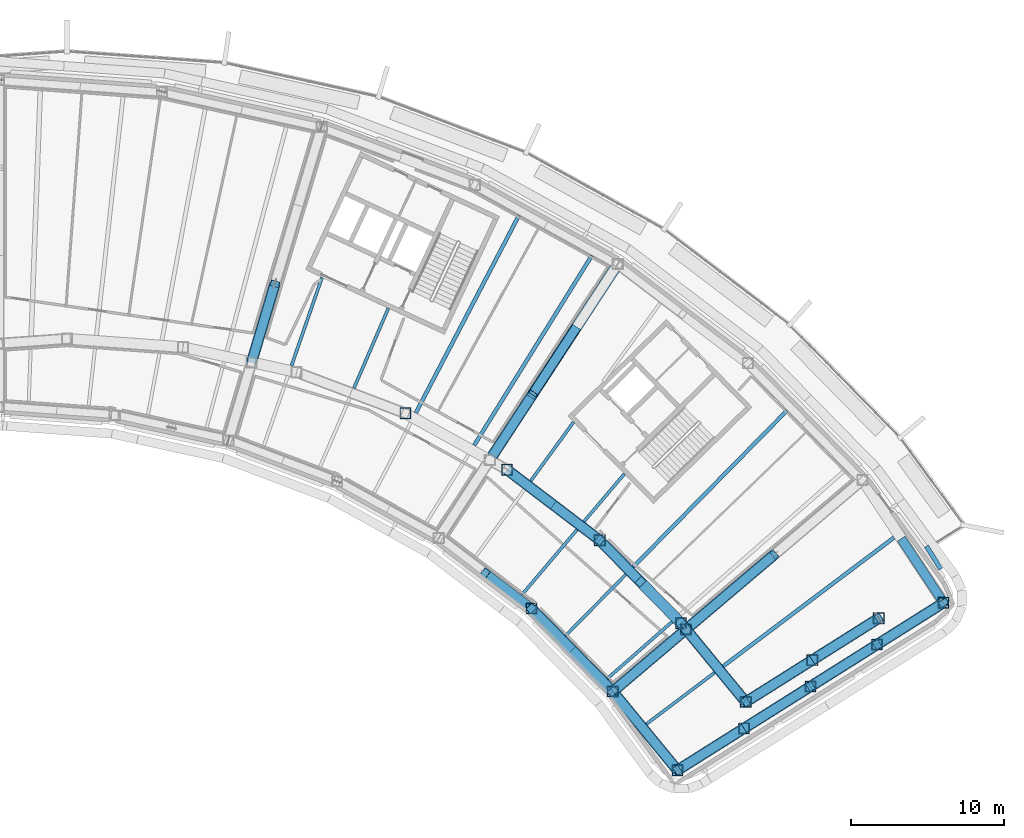
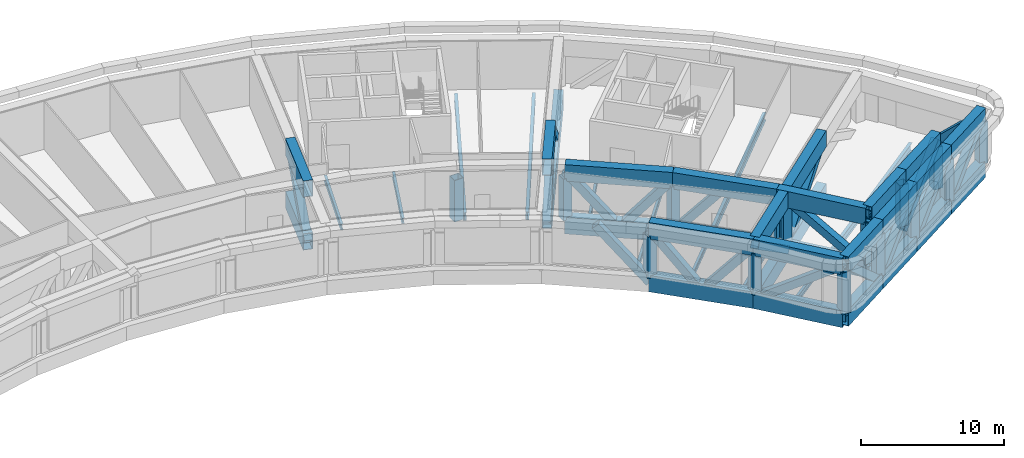
# One storey, part 4 of 25: 44 beams, 36 members.
"""IFC4 building model written with IfcOpenShell, lengths in metres."""

from ifc_helpers import new_model, si_unit, direction, frame, origin, origin_2d, place, context, subcontext, project, spatial, hollow_rectangle, i_section, extrude, material, material_profile, profile_set, type_object, element, save


model = new_model("IFC4")

# Units and contexts
model_context = context("Model", 3, precision=1e-05, world=origin(), true_north=direction((0.0, 1.0)))
body_context = subcontext(model_context, "Body", "Model", "MODEL_VIEW")
ifc_project = project(units=[si_unit("LENGTHUNIT", "METRE"), si_unit("AREAUNIT", "SQUARE_METRE"), si_unit("VOLUMEUNIT", "CUBIC_METRE"), si_unit("PLANEANGLEUNIT", "RADIAN"), si_unit("MASSUNIT", "GRAM", prefix="KILO")], contexts=[model_context])

# Site, building, storey
site_placement = place(None, origin())
site = spatial("IfcSite", under=ifc_project, at=site_placement, CompositionType="ELEMENT")
building_placement = place(site_placement, origin())
building = spatial("IfcBuilding", under=site, at=building_placement, Name="Tuul Gate Civic Tower", CompositionType="ELEMENT")
storey_placement = place(building_placement, frame((0.0, 0.0, 133.699951171875)))
storey = spatial("IfcBuildingStorey", under=building, at=storey_placement, Name="Plant and refuge floor 4", CompositionType="ELEMENT", Elevation=133.699951171875)

# Beams
ifc_material_1 = material(Name="Steel S355", Category="steel")
ifc_material_profile_1 = material_profile(ifc_material_1, i_section(OverallWidth=0.199951171875, OverallDepth=0.5, WebThickness=0.010009765625, FlangeThickness=0.01611328125, at=origin_2d()), Name="PG500x200x10x16")
ifc_profile_set_1 = profile_set([ifc_material_profile_1], Name="Steel S355")
beam_type_1 = type_object("IfcBeamType", Name="STR-FLOOR BEAM-PG500x200x10x16", PredefinedType="BEAM", material=ifc_profile_set_1)
beam_1_placement = place(storey_placement, frame((47.650634765625, -32.816650390625, -0.64990234375), z_axis=(0.798705359689, 0.601722318353, 0.0), x_axis=(-0.601722318353, 0.798705359689, 0.0)))
element("IfcBeam", 1, at=beam_1_placement, inside=storey, type_object=beam_type_1, Name="Floor beam", PredefinedType="BEAM", context=body_context, shape_type="SweptSolid", body=[
    extrude(i_section(OverallWidth=0.199951171875, OverallDepth=0.5, WebThickness=0.010009765625, FlangeThickness=0.01611328125, at=origin_2d()), origin(), (0.0, 0.0, 1.0), 5.57470703125),
])
beam_2_placement = place(storey_placement, frame((45.10888671875, -29.83984375, -0.64990234375), z_axis=(0.752026334682, 0.65913306088, 0.0), x_axis=(-0.65913306088, 0.752026334682, 0.0)))
element("IfcBeam", 2, at=beam_2_placement, inside=storey, type_object=beam_type_1, Name="Floor beam", PredefinedType="BEAM", context=body_context, shape_type="SweptSolid", body=[
    extrude(i_section(OverallWidth=0.199951171875, OverallDepth=0.5, WebThickness=0.010009765625, FlangeThickness=0.01611328125, at=origin_2d()), origin(), (0.0, 0.0, 1.0), 5.608642578125),
])
beam_3_placement = place(storey_placement, frame((42.373779296875, -27.049072265625, -0.64990234375), z_axis=(0.701219362174, 0.712945584257, 0.0), x_axis=(-0.712945584257, 0.701219362174, 0.0)))
element("IfcBeam", 3, at=beam_3_placement, inside=storey, type_object=beam_type_1, Name="Floor beam", PredefinedType="BEAM", context=body_context, shape_type="SweptSolid", body=[
    extrude(i_section(OverallWidth=0.199951171875, OverallDepth=0.5, WebThickness=0.010009765625, FlangeThickness=0.01611328125, at=origin_2d()), origin(), (0.0, 0.0, 1.0), 5.6005859375),
])
beam_4_placement = place(storey_placement, frame((39.5322265625, -24.367431640625, -0.64990234375), z_axis=(0.646578975223, 0.762847054657, 0.0), x_axis=(-0.762847054657, 0.646578975223, 0.0)))
element("IfcBeam", 4, at=beam_4_placement, inside=storey, type_object=beam_type_1, Name="Floor beam", PredefinedType="BEAM", context=body_context, shape_type="SweptSolid", body=[
    extrude(i_section(OverallWidth=0.199951171875, OverallDepth=0.5, WebThickness=0.010009765625, FlangeThickness=0.01611328125, at=origin_2d()), origin(), (0.0, 0.0, 1.0), 5.5498046875),
])
beam_5_placement = place(storey_placement, frame((43.573974609375, -19.59912109375, -0.64990234375), z_axis=(0.646561845197, 0.762861573508, 0.0), x_axis=(-0.762861573508, 0.646561845197, 0.0)))
element("IfcBeam", 5, at=beam_5_placement, inside=storey, type_object=beam_type_1, Name="Floor beam", PredefinedType="BEAM", context=body_context, shape_type="SweptSolid", body=[
    extrude(i_section(OverallWidth=0.199951171875, OverallDepth=0.5, WebThickness=0.010009765625, FlangeThickness=0.01611328125, at=origin_2d()), origin(), (0.0, 0.0, 1.0), 4.078857421875),
])
beam_6_placement = place(storey_placement, frame((40.09716796875, -16.9521484375, -0.64990234375), z_axis=(0.58842495768, 0.808551834565, 0.0), x_axis=(-0.808551834565, 0.58842495768, 0.0)))
element("IfcBeam", 6, at=beam_6_placement, inside=storey, type_object=beam_type_1, Name="Floor beam", PredefinedType="BEAM", context=body_context, shape_type="SweptSolid", body=[
    extrude(i_section(OverallWidth=0.199951171875, OverallDepth=0.5, WebThickness=0.010009765625, FlangeThickness=0.01611328125, at=origin_2d()), origin(), (0.0, 0.0, 1.0), 4.7568359375),
])
beam_7_placement = place(storey_placement, frame((28.557861328125, -10.893310546875, -0.64990234375), z_axis=(0.395911251854, 0.918288778466, 0.0), x_axis=(-0.918288778466, 0.395911251854, 0.0)))
element("IfcBeam", 7, at=beam_7_placement, inside=storey, type_object=beam_type_1, Name="Floor beam", PredefinedType="BEAM", context=body_context, shape_type="SweptSolid", body=[
    extrude(i_section(OverallWidth=0.199951171875, OverallDepth=0.5, WebThickness=0.010009765625, FlangeThickness=0.01611328125, at=origin_2d()), origin(), (0.0, 0.0, 1.0), 5.677490234375),
])
beam_8_placement = place(storey_placement, frame((24.485595703125, -9.4208984375, -0.64990234375), z_axis=(0.326904161155, 0.945057495298, 0.0), x_axis=(-0.945057495298, 0.326904161155, 0.0)))
element("IfcBeam", 8, at=beam_8_placement, inside=storey, type_object=beam_type_1, Name="Floor beam", PredefinedType="BEAM", context=body_context, shape_type="SweptSolid", body=[
    extrude(i_section(OverallWidth=0.199951171875, OverallDepth=0.5, WebThickness=0.010009765625, FlangeThickness=0.01611328125, at=origin_2d()), origin(), (0.0, 0.0, 1.0), 6.093994140625),
])
ifc_material_2 = material(Name="Steel S355", Category="steel")
ifc_material_profile_2 = material_profile(ifc_material_2, i_section(OverallWidth=0.25, OverallDepth=0.64990234375, WebThickness=0.011962890625, FlangeThickness=0.02001953125, at=origin_2d()), Name="PG650x250x12x20")
ifc_profile_set_2 = profile_set([ifc_material_profile_2], Name="Steel S355")
beam_type_2 = type_object("IfcBeamType", Name="STR-FLOOR BEAM-PG650x250x12x20", PredefinedType="BEAM", material=ifc_profile_set_2)
beam_9_placement = place(storey_placement, frame((52.662841796875, -29.04052734375, -0.724853515625), z_axis=(0.798705214041, 0.601722511682, 0.0), x_axis=(-0.601722511682, 0.798705214041, 0.0)))
element("IfcBeam", 9, at=beam_9_placement, inside=storey, type_object=beam_type_2, Name="Floor beam", PredefinedType="BEAM", context=body_context, shape_type="SweptSolid", body=[
    extrude(i_section(OverallWidth=0.25, OverallDepth=0.64990234375, WebThickness=0.011962890625, FlangeThickness=0.02001953125, at=origin_2d()), origin(), (0.0, 0.0, 1.0), 13.958251953125),
])
beam_10_placement = place(storey_placement, frame((46.7919921875, -22.55712890625, -0.724853515625), z_axis=(0.701219206742, 0.712945737133, 0.0), x_axis=(-0.712945737133, 0.701219206742, 0.0)))
element("IfcBeam", 10, at=beam_10_placement, inside=storey, type_object=beam_type_2, Name="Floor beam", PredefinedType="BEAM", context=body_context, shape_type="SweptSolid", body=[
    extrude(i_section(OverallWidth=0.25, OverallDepth=0.64990234375, WebThickness=0.011962890625, FlangeThickness=0.02001953125, at=origin_2d()), origin(), (0.0, 0.0, 1.0), 14.302978515625),
])
beam_11_placement = place(storey_placement, frame((36.4052734375, -14.6259765625, -0.724853515625), z_axis=(0.527010151699, 0.849858988307, 0.0), x_axis=(-0.849858988307, 0.527010151699, 0.0)))
element("IfcBeam", 11, at=beam_11_placement, inside=storey, type_object=beam_type_2, Name="Floor beam", PredefinedType="BEAM", context=body_context, shape_type="SweptSolid", body=[
    extrude(i_section(OverallWidth=0.25, OverallDepth=0.64990234375, WebThickness=0.011962890625, FlangeThickness=0.02001953125, at=origin_2d()), origin(), (0.0, 0.0, 1.0), 14.5615234375),
])
beam_12_placement = place(storey_placement, frame((32.59619140625, -12.514404296875, -0.724853515625), z_axis=(0.462725433298, 0.88650164883, 0.0), x_axis=(-0.88650164883, 0.462725433298, 0.0)))
element("IfcBeam", 12, at=beam_12_placement, inside=storey, type_object=beam_type_2, Name="Floor beam", PredefinedType="BEAM", context=body_context, shape_type="SweptSolid", body=[
    extrude(i_section(OverallWidth=0.25, OverallDepth=0.64990234375, WebThickness=0.011962890625, FlangeThickness=0.02001953125, at=origin_2d()), origin(), (0.0, 0.0, 1.0), 14.54833984375),
])
ifc_material_3 = material(Name="Steel S355", Category="steel")
ifc_material_profile_3 = material_profile(ifc_material_3, i_section(OverallWidth=0.300048828125, OverallDepth=0.800048828125, WebThickness=0.013916015625, FlangeThickness=0.02490234375, at=origin_2d()), Name="PG800x300x14x25")
ifc_profile_set_3 = profile_set([ifc_material_profile_3], Name="Steel S355")
beam_type_3 = type_object("IfcBeamType", Name="STR-FLOOR BEAM-PG800x300x14x25", PredefinedType="BEAM", material=ifc_profile_set_3)
beam_13_placement = place(storey_placement, frame((66.865478515625, -22.70947265625, -0.800048828125), z_axis=(-0.529961761805, 0.848021539246, 0.0), x_axis=(-0.848021539246, -0.529961761805, 0.0)))
element("IfcBeam", 13, at=beam_13_placement, inside=storey, type_object=beam_type_3, Name="Terrace beam", PredefinedType="BEAM", context=body_context, shape_type="SweptSolid", body=[
    extrude(i_section(OverallWidth=0.300048828125, OverallDepth=0.800048828125, WebThickness=0.013916015625, FlangeThickness=0.02490234375, at=origin_2d()), origin(), (0.0, 0.0, 1.0), 1.770751953125),
])
ifc_material_4 = material(Name="Steel S460", Category="steel")
ifc_material_profile_4 = material_profile(ifc_material_4, hollow_rectangle(XDim=0.699951171875, YDim=1.39990234375, WallThickness=0.0400390625, at=origin_2d()), Name="BOX1400x700x40")
ifc_profile_set_4 = profile_set([ifc_material_profile_4], Name="Steel S460")
beam_type_4 = type_object("IfcBeamType", Name="STR-TRANSFER TRUSS CHORD-BOX1400x700x40", PredefinedType="BEAM", material=ifc_profile_set_4)
beam_14_placement = place(storey_placement, frame((55.9921875, -21.76123046875, -1.099853515625), z_axis=(-0.762827208548, -0.646602389339, 0.0), x_axis=(0.646602389339, -0.762827208548, 0.0)))
element("IfcBeam", 14, at=beam_14_placement, inside=storey, type_object=beam_type_4, Name="Radial truss bottom chord", PredefinedType="BEAM", context=body_context, shape_type="SweptSolid", body=[
    extrude(hollow_rectangle(XDim=0.699951171875, YDim=1.39990234375, WallThickness=0.0400390625, at=origin_2d()), origin(), (0.0, 0.0, 1.0), 7.1923828125),
])
beam_15_placement = place(storey_placement, frame((49.971435546875, -26.864501953125, -1.099853515625), z_axis=(-0.762796314493, -0.646638834741, 0.0), x_axis=(0.646638834741, -0.762796314493, 0.0)))
element("IfcBeam", 15, at=beam_15_placement, inside=storey, type_object=beam_type_4, Name="Radial truss bottom chord", PredefinedType="BEAM", context=body_context, shape_type="SweptSolid", body=[
    extrude(hollow_rectangle(XDim=0.699951171875, YDim=1.39990234375, WallThickness=0.0400390625, at=origin_2d()), origin(), (0.0, 0.0, 1.0), 5.9208984375),
])
beam_16_placement = place(storey_placement, frame((55.9921875, -21.76123046875, 3.400146484375), z_axis=(-0.762827208548, -0.646602389339, 0.0), x_axis=(0.646602389339, -0.762827208548, 0.0)))
element("IfcBeam", 16, at=beam_16_placement, inside=storey, type_object=beam_type_4, Name="Radial truss top chord", PredefinedType="BEAM", context=body_context, shape_type="SweptSolid", body=[
    extrude(hollow_rectangle(XDim=0.699951171875, YDim=1.39990234375, WallThickness=0.0400390625, at=origin_2d()), origin(), (0.0, 0.0, 1.0), 7.1923828125),
])
beam_17_placement = place(storey_placement, frame((49.971435546875, -26.864501953125, 3.400146484375), z_axis=(-0.762796314493, -0.646638834741, 0.0), x_axis=(0.646638834741, -0.762796314493, 0.0)))
element("IfcBeam", 17, at=beam_17_placement, inside=storey, type_object=beam_type_4, Name="Radial truss top chord", PredefinedType="BEAM", context=body_context, shape_type="SweptSolid", body=[
    extrude(hollow_rectangle(XDim=0.699951171875, YDim=1.39990234375, WallThickness=0.0400390625, at=origin_2d()), origin(), (0.0, 0.0, 1.0), 5.9208984375),
])
for number, where, z_axis, x_axis, name in (
    (18, (23.402587890625, -4.08251953125, -1.099853515625), (-0.285239106833, -0.958456390209, 0.0), (0.958456390209, -0.285239106833, 0.0), "Radial truss bottom chord"),
    (19, (23.402587890625, -4.08251953125, 3.400146484375), (-0.285239106833, -0.958456390209, 0.0), (0.958456390209, -0.285239106833, 0.0), "Radial truss top chord"),
):
    element("IfcBeam", number, at=place(storey_placement, frame(where, z_axis=z_axis, x_axis=x_axis)), inside=storey, type_object=beam_type_4, Name=name, PredefinedType="BEAM", context=body_context, shape_type="SweptSolid", body=[
        extrude(hollow_rectangle(XDim=0.699951171875, YDim=1.39990234375, WallThickness=0.0400390625, at=origin_2d()), origin(), (0.0, 0.0, 1.0), 5.34423828125),
    ])
beam_18_placement = place(storey_placement, frame((45.77587890625, -2.791015625, -1.099853515625), z_axis=(-0.546706970864, -0.837324004199, 0.0), x_axis=(0.837324004199, -0.546706970864, 0.0)))
element("IfcBeam", 20, at=beam_18_placement, inside=storey, type_object=beam_type_4, Name="Radial truss bottom chord", PredefinedType="BEAM", context=body_context, shape_type="SweptSolid", body=[
    extrude(hollow_rectangle(XDim=0.699951171875, YDim=1.39990234375, WallThickness=0.0400390625, at=origin_2d()), origin(), (0.0, 0.0, 1.0), 10.189208984375),
])
for number, where, z_axis, x_axis, name in (
    (21, (40.205322265625, -11.32275390625, -1.099853515625), (-0.546705698806, -0.837324834752, 0.0), (0.837324834752, -0.546705698806, 0.0), "Radial truss bottom chord"),
    (22, (40.205322265625, -11.32275390625, 3.400146484375), (-0.546705698806, -0.837324834752, 0.0), (0.837324834752, -0.546705698806, 0.0), "Radial truss top chord"),
):
    element("IfcBeam", number, at=place(storey_placement, frame(where, z_axis=z_axis, x_axis=x_axis)), inside=storey, type_object=beam_type_4, Name=name, PredefinedType="BEAM", context=body_context, shape_type="SweptSolid", body=[
        extrude(hollow_rectangle(XDim=0.699951171875, YDim=1.39990234375, WallThickness=0.0400390625, at=origin_2d()), origin(), (0.0, 0.0, 1.0), 4.743896484375),
    ])
for number, where, z_axis, x_axis, name in (
    (23, (38.554931640625, -16.218017578125, -1.099853515625), (0.795673036057, -0.605726357105, 0.0), (0.605726357105, 0.795673036057, 0.0), "Belt truss bottom chord"),
    (24, (38.554931640625, -16.218017578125, 3.400146484375), (0.795673036057, -0.605726357105, 0.0), (0.605726357105, 0.795673036057, 0.0), "Belt truss top chord"),
):
    element("IfcBeam", number, at=place(storey_placement, frame(where, z_axis=z_axis, x_axis=x_axis)), inside=storey, type_object=beam_type_4, Name=name, PredefinedType="BEAM", context=body_context, shape_type="SweptSolid", body=[
        extrude(hollow_rectangle(XDim=0.699951171875, YDim=1.39990234375, WallThickness=0.0400390625, at=origin_2d()), origin(), (0.0, 0.0, 1.0), 7.59228515625),
    ])
for number, where, z_axis, x_axis, name in (
    (25, (40.14111328125, -25.27099609375, -1.099853515625), (0.699947938495, -0.714193869615, 0.0), (0.714193869615, 0.699947938495, 0.0), "Belt truss bottom chord"),
    (26, (40.14111328125, -25.27099609375, 3.400146484375), (0.699947938495, -0.714193869615, 0.0), (0.714193869615, 0.699947938495, 0.0), "Belt truss top chord"),
):
    element("IfcBeam", number, at=place(storey_placement, frame(where, z_axis=z_axis, x_axis=x_axis)), inside=storey, type_object=beam_type_4, Name=name, PredefinedType="BEAM", context=body_context, shape_type="SweptSolid", body=[
        extrude(hollow_rectangle(XDim=0.699951171875, YDim=1.39990234375, WallThickness=0.0400390625, at=origin_2d()), origin(), (0.0, 0.0, 1.0), 7.592041015625),
    ])
for number, where, z_axis, x_axis, name in (
    (27, (44.595947265625, -20.81689453125, -1.099853515625), (0.700012244229, -0.714130840903, 0.0), (0.714130840903, 0.700012244229, 0.0), "Belt truss bottom chord"),
    (28, (44.595947265625, -20.81689453125, 3.400146484375), (0.700012244229, -0.714130840903, 0.0), (0.714130840903, 0.700012244229, 0.0), "Belt truss top chord"),
):
    element("IfcBeam", number, at=place(storey_placement, frame(where, z_axis=z_axis, x_axis=x_axis)), inside=storey, type_object=beam_type_4, Name=name, PredefinedType="BEAM", context=body_context, shape_type="SweptSolid", body=[
        extrude(hollow_rectangle(XDim=0.699951171875, YDim=1.39990234375, WallThickness=0.0400390625, at=origin_2d()), origin(), (0.0, 0.0, 1.0), 7.59130859375),
    ])
for number, where, z_axis, x_axis, name in (
    (29, (49.909912109375, -26.238037109375, -1.099853515625), (0.634408284955, -0.772998142288, 0.0), (0.772998142288, 0.634408284955, 0.0), "Belt truss bottom chord"),
    (30, (49.909912109375, -26.238037109375, 3.400146484375), (0.634408284955, -0.772998142288, 0.0), (0.772998142288, 0.634408284955, 0.0), "Belt truss top chord"),
    (31, (45.455078125, -30.693115234375, -1.099853515625), (0.634408284955, -0.772998142288, 0.0), (0.772998142288, 0.634408284955, 0.0), "Belt truss bottom chord"),
    (32, (45.455078125, -30.693115234375, 3.400146484375), (0.634408284955, -0.772998142288, 0.0), (0.772998142288, 0.634408284955, 0.0), "Belt truss top chord"),
):
    element("IfcBeam", number, at=place(storey_placement, frame(where, z_axis=z_axis, x_axis=x_axis)), inside=storey, type_object=beam_type_4, Name=name, PredefinedType="BEAM", context=body_context, shape_type="SweptSolid", body=[
        extrude(hollow_rectangle(XDim=0.699951171875, YDim=1.39990234375, WallThickness=0.0400390625, at=origin_2d()), origin(), (0.0, 0.0, 1.0), 6.65185546875),
    ])
for number, where, z_axis, x_axis, name in (
    (33, (58.471923828125, -28.64599609375, -1.099853515625), (0.846178819959, 0.53289905672, 0.0), (-0.53289905672, 0.846178819959, 0.0), "Belt truss bottom chord"),
    (34, (58.471923828125, -28.64599609375, 3.400146484375), (0.846178819959, 0.53289905672, 0.0), (-0.53289905672, 0.846178819959, 0.0), "Belt truss top chord"),
):
    element("IfcBeam", number, at=place(storey_placement, frame(where, z_axis=z_axis, x_axis=x_axis)), inside=storey, type_object=beam_type_4, Name=name, PredefinedType="BEAM", context=body_context, shape_type="SweptSolid", body=[
        extrude(hollow_rectangle(XDim=0.699951171875, YDim=1.39990234375, WallThickness=0.0400390625, at=origin_2d()), origin(), (0.0, 0.0, 1.0), 5.132568359375),
    ])
for number, where, z_axis, x_axis, name in (
    (35, (62.701904296875, -27.631103515625, -1.099853515625), (0.846264615796, 0.53276279905, 0.0), (-0.53276279905, 0.846264615796, 0.0), "Belt truss bottom chord"),
    (36, (62.701904296875, -27.631103515625, 3.400146484375), (0.846264615796, 0.53276279905, 0.0), (-0.53276279905, 0.846264615796, 0.0), "Belt truss top chord"),
    (37, (54.01708984375, -33.10009765625, -1.099853515625), (0.846264615796, 0.53276279905, 0.0), (-0.53276279905, 0.846264615796, 0.0), "Belt truss bottom chord"),
    (38, (54.01708984375, -33.10009765625, 3.400146484375), (0.846264615796, 0.53276279905, 0.0), (-0.53276279905, 0.846264615796, 0.0), "Belt truss top chord"),
):
    element("IfcBeam", number, at=place(storey_placement, frame(where, z_axis=z_axis, x_axis=x_axis)), inside=storey, type_object=beam_type_4, Name=name, PredefinedType="BEAM", context=body_context, shape_type="SweptSolid", body=[
        extrude(hollow_rectangle(XDim=0.699951171875, YDim=1.39990234375, WallThickness=0.0400390625, at=origin_2d()), origin(), (0.0, 0.0, 1.0), 5.132080078125),
    ])
for number, where, z_axis, x_axis, name in (
    (39, (49.675048828125, -35.8349609375, -1.099853515625), (0.846146228652, 0.532950804237, 0.0), (-0.532950804237, 0.846146228652, 0.0), "Belt truss bottom chord"),
    (40, (49.675048828125, -35.8349609375, 3.400146484375), (0.846146228652, 0.532950804237, 0.0), (-0.532950804237, 0.846146228652, 0.0), "Belt truss top chord"),
):
    element("IfcBeam", number, at=place(storey_placement, frame(where, z_axis=z_axis, x_axis=x_axis)), inside=storey, type_object=beam_type_4, Name=name, PredefinedType="BEAM", context=body_context, shape_type="SweptSolid", body=[
        extrude(hollow_rectangle(XDim=0.699951171875, YDim=1.39990234375, WallThickness=0.0400390625, at=origin_2d()), origin(), (0.0, 0.0, 1.0), 5.131591796875),
    ])
for number, where, z_axis, x_axis, name in (
    (41, (58.360107421875, -30.365966796875, -1.099853515625), (0.8461327144, 0.532972259712, 0.0), (-0.532972259712, 0.8461327144, 0.0), "Belt truss bottom chord"),
    (42, (58.360107421875, -30.365966796875, 3.400146484375), (0.8461327144, 0.532972259712, 0.0), (-0.532972259712, 0.8461327144, 0.0), "Belt truss top chord"),
):
    element("IfcBeam", number, at=place(storey_placement, frame(where, z_axis=z_axis, x_axis=x_axis)), inside=storey, type_object=beam_type_4, Name=name, PredefinedType="BEAM", context=body_context, shape_type="SweptSolid", body=[
        extrude(hollow_rectangle(XDim=0.699951171875, YDim=1.39990234375, WallThickness=0.0400390625, at=origin_2d()), origin(), (0.0, 0.0, 1.0), 5.13134765625),
    ])
for number, where, z_axis, x_axis, name in (
    (43, (54.1298828125, -31.3798828125, -1.099853515625), (0.84623204551, 0.532814531663, 0.0), (-0.532814531663, 0.84623204551, 0.0), "Belt truss bottom chord"),
    (44, (54.1298828125, -31.3798828125, 3.400146484375), (0.84623204551, 0.532814531663, 0.0), (-0.532814531663, 0.84623204551, 0.0), "Belt truss top chord"),
):
    element("IfcBeam", number, at=place(storey_placement, frame(where, z_axis=z_axis, x_axis=x_axis)), inside=storey, type_object=beam_type_4, Name=name, PredefinedType="BEAM", context=body_context, shape_type="SweptSolid", body=[
        extrude(hollow_rectangle(XDim=0.699951171875, YDim=1.39990234375, WallThickness=0.0400390625, at=origin_2d()), origin(), (0.0, 0.0, 1.0), 5.131103515625),
    ])

# Members
ifc_material_5 = material(Name="Steel S355", Category="steel")
ifc_material_profile_5 = material_profile(ifc_material_5, hollow_rectangle(XDim=0.60009765625, YDim=0.60009765625, WallThickness=0.02490234375, at=origin_2d()), Name="BOX600x600x25")
ifc_profile_set_5 = profile_set([ifc_material_profile_5], Name="Steel S355")
member_type_1 = type_object("IfcMemberType", Name="STR-TRANSFER TRUSS DIAGONAL-BOX600x600x25", PredefinedType="BRACE", material=ifc_profile_set_5)
member_1_placement = place(storey_placement, frame((50.2353515625, -26.64111328125, -1.1025390625), z_axis=(0.655088192304, 0.555300663138, 0.512348156844), x_axis=(-0.646617369363, 0.762814510637, 0.0)))
element("IfcMember", 45, at=member_1_placement, inside=storey, type_object=member_type_1, Name="Radial truss web", PredefinedType="BRACE", context=body_context, shape_type="SweptSolid", body=[
    extrude(hollow_rectangle(XDim=0.60009765625, YDim=0.60009765625, WallThickness=0.02490234375, at=origin_2d()), origin(), (0.0, 0.0, 1.0), 8.793212890625),
])
member_2_placement = place(storey_placement, frame((50.24169921875, -26.6357421875, -1.102783203125), z_axis=(-0.619771466038, -0.525316260194, 0.583031865905), x_axis=(0.64658344692, -0.762843264485, 0.0)))
element("IfcMember", 46, at=member_2_placement, inside=storey, type_object=member_type_1, Name="Radial truss web", PredefinedType="BRACE", context=body_context, shape_type="SweptSolid", body=[
    extrude(hollow_rectangle(XDim=0.60009765625, YDim=0.60009765625, WallThickness=0.02490234375, at=origin_2d()), origin(), (0.0, 0.0, 1.0), 7.728271484375),
])
member_3_placement = place(storey_placement, frame((21.877197265625, -9.20849609375, -1.103271484375), z_axis=(0.218158534425, 0.733162022842, 0.644112026064), x_axis=(-0.958467963772, 0.285200214626, 0.0)))
element("IfcMember", 47, at=member_3_placement, inside=storey, type_object=member_type_1, Name="Radial truss web", PredefinedType="BRACE", context=body_context, shape_type="SweptSolid", body=[
    extrude(hollow_rectangle(XDim=0.60009765625, YDim=0.60009765625, WallThickness=0.02490234375, at=origin_2d()), origin(), (0.0, 0.0, 1.0), 6.99658203125),
])
for number, where, z_axis, x_axis, name in (
    (48, (42.99267578125, -7.0537109375, -1.103271484375), (-0.409742968988, -0.62757918725, 0.66200835576), (0.837334429789, -0.546691002934, 0.0), "Radial truss web"),
    (49, (37.41796875, -15.591796875, -1.103271484375), (0.409752191253, 0.627557447926, 0.662023255873), (-0.837320127826, 0.546712907784, 0.0), "Radial truss web"),
):
    element("IfcMember", number, at=place(storey_placement, frame(where, z_axis=z_axis, x_axis=x_axis)), inside=storey, type_object=member_type_1, Name=name, PredefinedType="BRACE", context=body_context, shape_type="SweptSolid", body=[
        extrude(hollow_rectangle(XDim=0.60009765625, YDim=0.60009765625, WallThickness=0.02490234375, at=origin_2d()), origin(), (0.0, 0.0, 1.0), 6.807373046875),
    ])
member_4_placement = place(storey_placement, frame((64.3935546875, -20.887451171875, -1.103271484375), z_axis=(0.402542066757, -0.608720343106, 0.683680794216), x_axis=(0.834113511354, 0.551592830063, 0.0)))
element("IfcMember", 50, at=member_4_placement, inside=storey, type_object=member_type_1, Name="Belt truss web", PredefinedType="BRACE", context=body_context, shape_type="SweptSolid", body=[
    extrude(hollow_rectangle(XDim=0.60009765625, YDim=0.60009765625, WallThickness=0.02490234375, at=origin_2d()), origin(), (0.0, 0.0, 1.0), 6.592041015625),
])
for number, where, z_axis, x_axis, name in (
    (51, (41.578125, -18.51953125, -1.103759765625), (-0.513050918323, 0.390594320534, 0.7643394743), (-0.605747217095, -0.795657155427, 0.0), "Belt truss web"),
    (52, (41.572998046875, -18.515625, -1.103759765625), (0.513059214117, -0.390559237148, 0.764351833312), (0.605706570253, 0.795688098913, 0.0), "Belt truss web"),
    (53, (42.80029296875, -27.984375, -1.103759765625), (-0.451337804949, 0.460487103692, 0.76435974067), (-0.714165976552, -0.699976398127, 0.0), "Belt truss web"),
    (54, (42.795654296875, -27.979736328125, -1.103759765625), (0.451337804949, -0.460487103692, 0.76435974067), (0.714165976552, 0.699976398127, 0.0), "Belt truss web"),
):
    element("IfcMember", number, at=place(storey_placement, frame(where, z_axis=z_axis, x_axis=x_axis)), inside=storey, type_object=member_type_1, Name=name, PredefinedType="BRACE", context=body_context, shape_type="SweptSolid", body=[
        extrude(hollow_rectangle(XDim=0.60009765625, YDim=0.60009765625, WallThickness=0.02490234375, at=origin_2d()), origin(), (0.0, 0.0, 1.0), 5.897216796875),
    ])
for number, where, z_axis, x_axis, name in (
    (55, (40.1435546875, -25.27294921875, -1.103759765625), (-0.512989911448, 0.390610912316, 0.764371942141), (-0.605809108227, -0.795610032861, 0.0), "Belt truss web"),
    (56, (44.59375, -20.814697265625, -1.103759765625), (0.451355012954, -0.460421858288, 0.764388883156), (0.714103050027, 0.700040594496, 0.0), "Belt truss web"),
):
    element("IfcMember", number, at=place(storey_placement, frame(where, z_axis=z_axis, x_axis=x_axis)), inside=storey, type_object=member_type_1, Name=name, PredefinedType="BRACE", context=body_context, shape_type="SweptSolid", body=[
        extrude(hollow_rectangle(XDim=0.60009765625, YDim=0.60009765625, WallThickness=0.02490234375, at=origin_2d()), origin(), (0.0, 0.0, 1.0), 5.89697265625),
    ])
member_5_placement = place(storey_placement, frame((49.90966796875, -26.237548828125, -1.10498046875), z_axis=(0.072493207566, -0.088357819014, 0.993447346705), x_axis=(0.773097035605, 0.634287768713, 0.0)))
element("IfcMember", 57, at=member_5_placement, inside=storey, type_object=member_type_1, Name="Belt truss web", PredefinedType="BRACE", context=body_context, shape_type="SweptSolid", body=[
    extrude(hollow_rectangle(XDim=0.60009765625, YDim=0.60009765625, WallThickness=0.02490234375, at=origin_2d()), origin(), (0.0, 0.0, 1.0), 4.539794921875),
])
member_6_placement = place(storey_placement, frame((54.132568359375, -31.383056640625, -1.10302734375), z_axis=(-0.511528428695, 0.623250006443, 0.59152184753), x_axis=(-0.772985901175, -0.63442319991, 0.0)))
element("IfcMember", 58, at=member_6_placement, inside=storey, type_object=member_type_1, Name="Belt truss web", PredefinedType="BRACE", context=body_context, shape_type="SweptSolid", body=[
    extrude(hollow_rectangle(XDim=0.60009765625, YDim=0.60009765625, WallThickness=0.02490234375, at=origin_2d()), origin(), (0.0, 0.0, 1.0), 7.617919921875),
])
member_7_placement = place(storey_placement, frame((45.452392578125, -30.689697265625, -1.102783203125), z_axis=(0.525463250337, -0.640259376154, 0.560318038075), x_axis=(0.773001004128, 0.634404797915, 0.0)))
element("IfcMember", 59, at=member_7_placement, inside=storey, type_object=member_type_1, Name="Belt truss web", PredefinedType="BRACE", context=body_context, shape_type="SweptSolid", body=[
    extrude(hollow_rectangle(XDim=0.60009765625, YDim=0.60009765625, WallThickness=0.02490234375, at=origin_2d()), origin(), (0.0, 0.0, 1.0), 8.041259765625),
])
member_8_placement = place(storey_placement, frame((58.46875, -28.64794921875, -1.103271484375), z_axis=(0.636260198505, 0.400684993939, 0.659260567174), x_axis=(-0.532886335228, 0.846186831455, 0.0)))
element("IfcMember", 60, at=member_8_placement, inside=storey, type_object=member_type_1, Name="Belt truss web", PredefinedType="BRACE", context=body_context, shape_type="SweptSolid", body=[
    extrude(hollow_rectangle(XDim=0.60009765625, YDim=0.60009765625, WallThickness=0.02490234375, at=origin_2d()), origin(), (0.0, 0.0, 1.0), 6.8359375),
])
for number, where, z_axis, x_axis, name in (
    (61, (62.69873046875, -27.633056640625, -1.103271484375), (0.63629661571, 0.400565060072, 0.659298300836), (-0.532750272584, 0.846272501657, 0.0), "Belt truss web"),
    (62, (54.013916015625, -33.10205078125, -1.103271484375), (0.63629661571, 0.400565060072, 0.659298300836), (-0.532750272584, 0.846272501657, 0.0), "Belt truss web"),
):
    element("IfcMember", number, at=place(storey_placement, frame(where, z_axis=z_axis, x_axis=x_axis)), inside=storey, type_object=member_type_1, Name=name, PredefinedType="BRACE", context=body_context, shape_type="SweptSolid", body=[
        extrude(hollow_rectangle(XDim=0.60009765625, YDim=0.60009765625, WallThickness=0.02490234375, at=origin_2d()), origin(), (0.0, 0.0, 1.0), 6.83544921875),
    ])
member_9_placement = place(storey_placement, frame((54.020263671875, -33.097900390625, -1.103271484375), z_axis=(-0.63617516084, -0.400721415387, 0.659320492614), x_axis=(0.532972018739, -0.846132866187, 0.0)))
element("IfcMember", 63, at=member_9_placement, inside=storey, type_object=member_type_1, Name="Belt truss web", PredefinedType="BRACE", context=body_context, shape_type="SweptSolid", body=[
    extrude(hollow_rectangle(XDim=0.60009765625, YDim=0.60009765625, WallThickness=0.02490234375, at=origin_2d()), origin(), (0.0, 0.0, 1.0), 6.835205078125),
])
member_10_placement = place(storey_placement, frame((58.35693359375, -30.367919921875, -1.103271484375), z_axis=(0.6361538978, 0.400730521023, 0.659335474424), x_axis=(-0.532993443067, 0.846119370802, 0.0)))
element("IfcMember", 64, at=member_10_placement, inside=storey, type_object=member_type_1, Name="Belt truss web", PredefinedType="BRACE", context=body_context, shape_type="SweptSolid", body=[
    extrude(hollow_rectangle(XDim=0.60009765625, YDim=0.60009765625, WallThickness=0.02490234375, at=origin_2d()), origin(), (0.0, 0.0, 1.0), 6.8349609375),
])
member_11_placement = place(storey_placement, frame((58.47509765625, -28.64404296875, -1.103271484375), z_axis=(-0.636211579798, -0.400601474787, 0.659358236567), x_axis=(0.532835951567, -0.846218558481, 0.0)))
element("IfcMember", 65, at=member_11_placement, inside=storey, type_object=member_type_1, Name="Belt truss web", PredefinedType="BRACE", context=body_context, shape_type="SweptSolid", body=[
    extrude(hollow_rectangle(XDim=0.60009765625, YDim=0.60009765625, WallThickness=0.02490234375, at=origin_2d()), origin(), (0.0, 0.0, 1.0), 6.834716796875),
])
ifc_material_6 = material(Name="Steel S355", Category="steel")
ifc_material_profile_6 = material_profile(ifc_material_6, hollow_rectangle(XDim=0.699951171875, YDim=0.699951171875, WallThickness=0.030029296875, at=origin_2d()), Name="BOX700x700x30")
ifc_profile_set_6 = profile_set([ifc_material_profile_6], Name="Steel S355")
member_type_2 = type_object("IfcMemberType", Name="STR-TRUSS POST-BOX700x700x30", PredefinedType="POST", material=ifc_profile_set_6)
for number, where, z_axis, x_axis, name in (
    (66, (50.238525390625, -26.63818359375, -0.619873046875), (0.0, 0.0, 1.0), (1.0, 0.0, 0.0), "Radial truss post"),
    (67, (45.455078125, -30.693115234375, -0.619873046875), (0.0, 0.0, 1.0), (1.0, 0.0, 0.0), "Radial truss post"),
    (68, (67.044921875, -24.89697265625, -0.619873046875), (0.0, 0.0, 1.0), (1.0, 0.0, 0.0), "Belt truss post"),
    (69, (38.554931640625, -16.218017578125, -0.619873046875), (0.0, 0.0, 1.0), (1.0, 0.0, 0.0), "Belt truss post"),
    (70, (44.595947265625, -20.81689453125, -0.619873046875), (0.0, 0.0, 1.0), (1.0, 0.0, 0.0), "Belt truss post"),
    (71, (31.9150390625, -12.537109375, -0.619873046875), (0.0, 0.0, 1.0), (1.0, 0.0, 0.0), "Belt truss post"),
    (72, (40.14111328125, -25.27099609375, -0.619873046875), (0.0, 0.0, 1.0), (1.0, 0.0, 0.0), "Belt truss post"),
    (73, (49.909912109375, -26.238037109375, -0.619873046875), (0.0, 0.0, 1.0), (1.0, 0.0, 0.0), "Belt truss post"),
    (74, (54.1298828125, -31.3798828125, -0.619873046875), (0.0, 0.0, 1.0), (1.0, 0.0, 0.0), "Belt truss post"),
    (75, (49.675048828125, -35.8349609375, -0.619873046875), (0.0, 0.0, 1.0), (1.0, 0.0, 0.0), "Belt truss post"),
    (76, (58.471923828125, -28.64599609375, -0.619873046875), (0.0, 0.0, 1.0), (1.0, 0.0, 0.0), "Belt truss post"),
    (77, (62.81494140625, -25.910888671875, -0.619873046875), (0.0, 0.0, 1.0), (1.0, 0.0, 0.0), "Belt truss post"),
    (78, (62.701904296875, -27.631103515625, -0.619873046875), (0.0, 0.0, 1.0), (1.0, 0.0, 0.0), "Belt truss post"),
    (79, (54.01708984375, -33.10009765625, -0.619873046875), (0.0, 0.0, 1.0), (1.0, 0.0, 0.0), "Belt truss post"),
    (80, (58.360107421875, -30.365966796875, -0.619873046875), (0.0, 0.0, 1.0), (1.0, 0.0, 0.0), "Belt truss post"),
):
    element("IfcMember", number, at=place(storey_placement, frame(where, z_axis=z_axis, x_axis=x_axis)), inside=storey, type_object=member_type_2, Name=name, PredefinedType="POST", context=body_context, shape_type="SweptSolid", body=[
        extrude(hollow_rectangle(XDim=0.699951171875, YDim=0.699951171875, WallThickness=0.030029296875, at=origin_2d()), origin(), (0.0, 0.0, 1.0), 3.5400390625),
    ])

save(model, "model.ifc")
